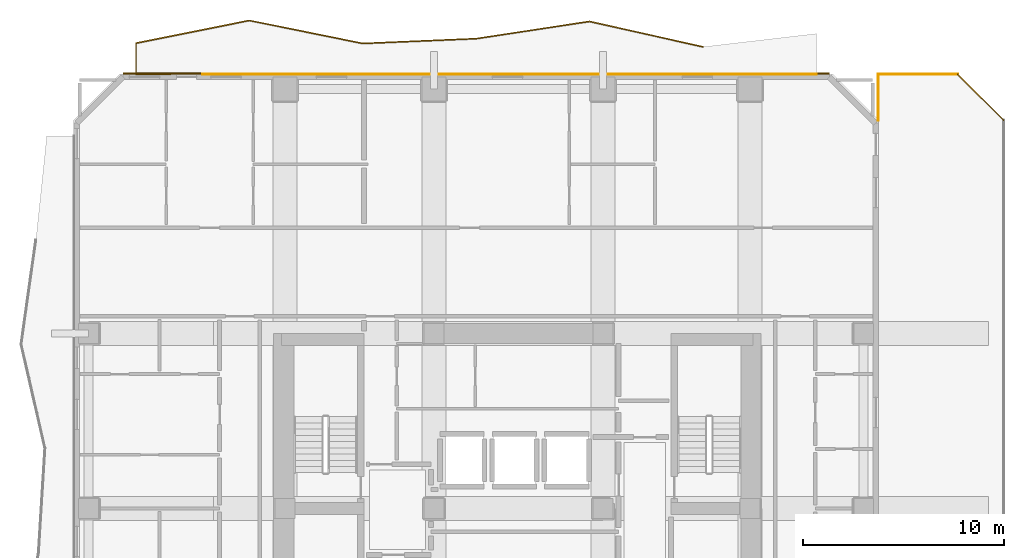
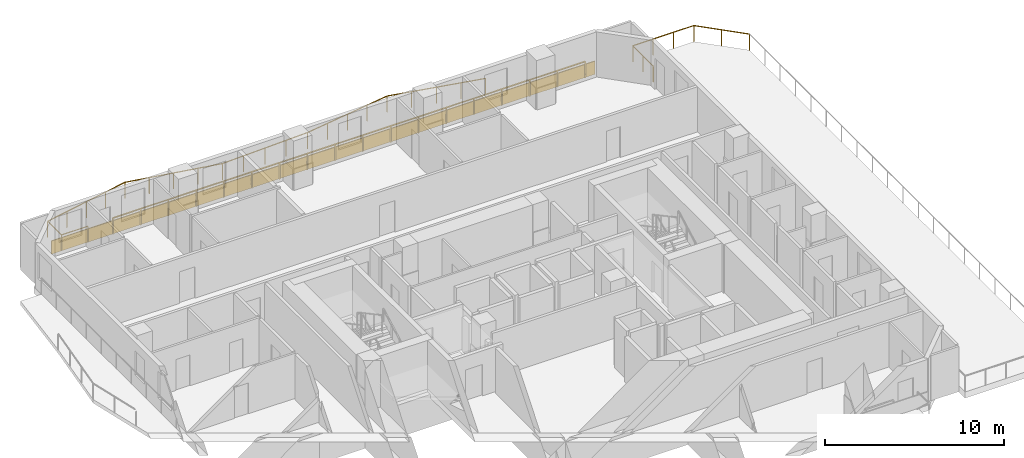
# One storey, part 11 of 11: 5 railings, 1 covering.
"""IFC4 building model written with IfcOpenShell, lengths in metres."""

from ifc_helpers import new_model, si_unit, direction, frame, frame_2d, origin, origin_2d, place, context, subcontext, project, spatial, rectangle, extrude, material, layer, layer_set, type_object, element, save


model = new_model("IFC4")

# Units and contexts
model_context = context("Model", 3, precision=1e-05, world=origin(), true_north=direction((0.0, 1.0)))
body_context = subcontext(model_context, "Body", "Model", "MODEL_VIEW")
ifc_project = project(units=[si_unit("LENGTHUNIT", "METRE"), si_unit("AREAUNIT", "SQUARE_METRE"), si_unit("VOLUMEUNIT", "CUBIC_METRE"), si_unit("PLANEANGLEUNIT", "RADIAN"), si_unit("MASSUNIT", "GRAM", prefix="KILO")], contexts=[model_context])

# Site, building, storey
site_placement = place(None, origin())
site = spatial("IfcSite", under=ifc_project, at=site_placement, CompositionType="ELEMENT")
building_placement = place(site_placement, origin())
building = spatial("IfcBuilding", under=site, at=building_placement, Name="Solanera Arch Residences", CompositionType="ELEMENT")
storey_placement = place(building_placement, frame((0.0, 0.0, 165.840087890625)))
storey = spatial("IfcBuildingStorey", under=building, at=storey_placement, Name="L48", CompositionType="ELEMENT", Elevation=165.840087890625)

# Railings
ifc_material_1 = material(Name="Steel S355 (ASTM A992 / A572 Grade 50)", Category="steel")
railing_type = type_object("IfcRailingType", Name="Balustrade Railing BL-1100", PredefinedType="BALUSTRADE", material=ifc_material_1)
railing_1_placement = place(storey_placement, frame((34.1669921875, 53.639892578125, 0.0)))
element("IfcRailing", 1, at=railing_1_placement, inside=storey, type_object=railing_type, Name="L48 N Balcony Balustrade 1", PredefinedType="BALUSTRADE", context=body_context, shape_type="SweptSolid", body=[
    extrude(rectangle(XDim=0.048095703125, YDim=0.048095703125, at=origin_2d()), frame((0.0, 0.0, 1.09619140625), z_axis=(-0.975775416654, 0.218774624335, 0.0), x_axis=(-0.218774624335, -0.975775416654, 0.0)), (0.0, 0.0, 1.0), 5.77392578125),
    extrude(rectangle(XDim=0.048095703125, YDim=0.048095703125, at=origin_2d()), frame((-5.634033203125, 1.26318359375, 1.09619140625), z_axis=(-0.988651371394, -0.150228046119, 0.0), x_axis=(0.150228046119, -0.988651371394, 0.0)), (0.0, 0.0, 1.0), 5.69775390625),
    extrude(rectangle(XDim=0.048095703125, YDim=0.048095703125, at=origin_2d()), frame((-11.26708984375, 0.4072265625, 1.09619140625), z_axis=(-0.999100960191, -0.042394237172, 0.0), x_axis=(0.042394237172, -0.999100960191, 0.0)), (0.0, 0.0, 1.0), 5.637939453125),
    extrude(rectangle(XDim=0.048095703125, YDim=0.048095703125, at=origin_2d()), frame((-16.89990234375, 0.168212890625, 1.09619140625), z_axis=(-0.980074345964, 0.198631005593, 0.0), x_axis=(-0.198631005593, -0.980074345964, 0.0)), (0.0, 0.0, 1.0), 5.74853515625),
    extrude(rectangle(XDim=0.048095703125, YDim=0.048095703125, at=origin_2d()), frame((-22.533935546875, 1.31005859375, 1.09619140625), z_axis=(-0.980569232103, -0.196173344402, 0.0), x_axis=(0.196173344402, -0.980569232103, 0.0)), (0.0, 0.0, 1.0), 5.74462890625),
    extrude(rectangle(XDim=0.048095703125, YDim=0.048095703125, at=origin_2d()), frame((-28.1669921875, 0.18310546875, 1.09619140625), z_axis=(0.0, -1.0, 0.0), x_axis=(1.0, 0.0, 0.0)), (0.0, 0.0, 1.0), 1.54296875),
    extrude(rectangle(XDim=0.048095703125, YDim=0.048095703125, at=origin_2d()), frame((-28.1669921875, -1.35986328125, 1.09619140625), z_axis=(1.0, 0.0, 0.0), x_axis=(0.0, 1.0, 0.0)), (0.0, 0.0, 1.0), 1.712890625),
    extrude(rectangle(XDim=0.0419921875, YDim=0.0419921875, at=origin_2d()), origin(), (0.0, 0.0, 1.0), 1.072021484375),
    extrude(rectangle(XDim=0.0419921875, YDim=0.0419921875, at=origin_2d()), frame((-1.408447265625, 0.31591796875, 0.0)), (0.0, 0.0, 1.0), 1.072021484375),
    extrude(rectangle(XDim=0.0419921875, YDim=0.0419921875, at=origin_2d()), frame((-2.81689453125, 0.631591796875, 0.0)), (0.0, 0.0, 1.0), 1.072021484375),
    extrude(rectangle(XDim=0.0419921875, YDim=0.0419921875, at=origin_2d()), frame((-4.2255859375, 0.947265625, 0.0)), (0.0, 0.0, 1.0), 1.072021484375),
    extrude(rectangle(XDim=0.0419921875, YDim=0.0419921875, at=origin_2d()), frame((-5.634033203125, 1.26318359375, 0.0)), (0.0, 0.0, 1.0), 1.072021484375),
    extrude(rectangle(XDim=0.0419921875, YDim=0.0419921875, at=origin_2d()), frame((-7.042236328125, 1.04931640625, 0.0)), (0.0, 0.0, 1.0), 1.072021484375),
    extrude(rectangle(XDim=0.0419921875, YDim=0.0419921875, at=origin_2d()), frame((-8.45068359375, 0.835205078125, 0.0)), (0.0, 0.0, 1.0), 1.072021484375),
    extrude(rectangle(XDim=0.0419921875, YDim=0.0419921875, at=origin_2d()), frame((-9.85888671875, 0.62109375, 0.0)), (0.0, 0.0, 1.0), 1.072021484375),
    extrude(rectangle(XDim=0.0419921875, YDim=0.0419921875, at=origin_2d()), frame((-11.26708984375, 0.4072265625, 0.0)), (0.0, 0.0, 1.0), 1.072021484375),
    extrude(rectangle(XDim=0.0419921875, YDim=0.0419921875, at=origin_2d()), frame((-12.67529296875, 0.347412109375, 0.0)), (0.0, 0.0, 1.0), 1.072021484375),
    extrude(rectangle(XDim=0.0419921875, YDim=0.0419921875, at=origin_2d()), frame((-14.08349609375, 0.28759765625, 0.0)), (0.0, 0.0, 1.0), 1.072021484375),
    extrude(rectangle(XDim=0.0419921875, YDim=0.0419921875, at=origin_2d()), frame((-15.49169921875, 0.22802734375, 0.0)), (0.0, 0.0, 1.0), 1.072021484375),
    extrude(rectangle(XDim=0.0419921875, YDim=0.0419921875, at=origin_2d()), frame((-16.89990234375, 0.168212890625, 0.0)), (0.0, 0.0, 1.0), 1.072021484375),
    extrude(rectangle(XDim=0.0419921875, YDim=0.0419921875, at=origin_2d()), frame((-18.308349609375, 0.45361328125, 0.0)), (0.0, 0.0, 1.0), 1.072021484375),
    extrude(rectangle(XDim=0.0419921875, YDim=0.0419921875, at=origin_2d()), frame((-19.716796875, 0.7392578125, 0.0)), (0.0, 0.0, 1.0), 1.072021484375),
    extrude(rectangle(XDim=0.0419921875, YDim=0.0419921875, at=origin_2d()), frame((-21.12548828125, 1.024658203125, 0.0)), (0.0, 0.0, 1.0), 1.072021484375),
    extrude(rectangle(XDim=0.0419921875, YDim=0.0419921875, at=origin_2d()), frame((-22.533935546875, 1.31005859375, 0.0)), (0.0, 0.0, 1.0), 1.072021484375),
    extrude(rectangle(XDim=0.0419921875, YDim=0.0419921875, at=origin_2d()), frame((-23.942138671875, 1.0283203125, 0.0)), (0.0, 0.0, 1.0), 1.072021484375),
    extrude(rectangle(XDim=0.0419921875, YDim=0.0419921875, at=origin_2d()), frame((-25.3505859375, 0.74658203125, 0.0)), (0.0, 0.0, 1.0), 1.072021484375),
    extrude(rectangle(XDim=0.0419921875, YDim=0.0419921875, at=origin_2d()), frame((-26.7587890625, 0.46484375, 0.0)), (0.0, 0.0, 1.0), 1.072021484375),
    extrude(rectangle(XDim=0.0419921875, YDim=0.0419921875, at=origin_2d()), frame((-28.1669921875, 0.18310546875, 0.0)), (0.0, 0.0, 1.0), 1.072021484375),
    extrude(rectangle(XDim=0.0419921875, YDim=0.0419921875, at=origin_2d()), frame((-28.1669921875, -1.35986328125, 0.0)), (0.0, 0.0, 1.0), 1.072021484375),
    extrude(rectangle(XDim=0.0419921875, YDim=0.0419921875, at=origin_2d()), frame((-26.4541015625, -1.35986328125, 0.0)), (0.0, 0.0, 1.0), 1.072021484375),
])
railing_2_placement = place(storey_placement, frame((9.31298828125, 52.280029296875, 0.0)))
element("IfcRailing", 2, at=railing_2_placement, inside=storey, type_object=railing_type, Name="L48 N Balcony Balustrade 2", PredefinedType="BALUSTRADE", context=body_context, shape_type="SweptSolid", body=[
    extrude(rectangle(XDim=0.048095703125, YDim=0.048095703125, at=origin_2d()), frame((0.0, 0.0, 1.09619140625), z_axis=(1.0, 0.0, 0.0), x_axis=(0.0, 1.0, 0.0)), (0.0, 0.0, 1.0), 30.487060546875),
    extrude(rectangle(XDim=0.0419921875, YDim=0.0419921875, at=origin_2d()), origin(), (0.0, 0.0, 1.0), 1.072021484375),
    extrude(rectangle(XDim=0.0419921875, YDim=0.0419921875, at=origin_2d()), frame((1.79345703125, 0.0, 0.0)), (0.0, 0.0, 1.0), 1.072021484375),
    extrude(rectangle(XDim=0.0419921875, YDim=0.0419921875, at=origin_2d()), frame((3.586669921875, 0.0, 0.0)), (0.0, 0.0, 1.0), 1.072021484375),
    extrude(rectangle(XDim=0.0419921875, YDim=0.0419921875, at=origin_2d()), frame((5.380126953125, 0.0, 0.0)), (0.0, 0.0, 1.0), 1.072021484375),
    extrude(rectangle(XDim=0.0419921875, YDim=0.0419921875, at=origin_2d()), frame((7.17333984375, 0.0, 0.0)), (0.0, 0.0, 1.0), 1.072021484375),
    extrude(rectangle(XDim=0.0419921875, YDim=0.0419921875, at=origin_2d()), frame((8.966796875, 0.0, 0.0)), (0.0, 0.0, 1.0), 1.072021484375),
    extrude(rectangle(XDim=0.0419921875, YDim=0.0419921875, at=origin_2d()), frame((10.76025390625, 0.0, 0.0)), (0.0, 0.0, 1.0), 1.072021484375),
    extrude(rectangle(XDim=0.0419921875, YDim=0.0419921875, at=origin_2d()), frame((12.553466796875, 0.0, 0.0)), (0.0, 0.0, 1.0), 1.072021484375),
    extrude(rectangle(XDim=0.0419921875, YDim=0.0419921875, at=origin_2d()), frame((14.346923828125, 0.0, 0.0)), (0.0, 0.0, 1.0), 1.072021484375),
    extrude(rectangle(XDim=0.0419921875, YDim=0.0419921875, at=origin_2d()), frame((16.14013671875, 0.0, 0.0)), (0.0, 0.0, 1.0), 1.072021484375),
    extrude(rectangle(XDim=0.0419921875, YDim=0.0419921875, at=origin_2d()), frame((17.93359375, 0.0, 0.0)), (0.0, 0.0, 1.0), 1.072021484375),
    extrude(rectangle(XDim=0.0419921875, YDim=0.0419921875, at=origin_2d()), frame((19.726806640625, 0.0, 0.0)), (0.0, 0.0, 1.0), 1.072021484375),
    extrude(rectangle(XDim=0.0419921875, YDim=0.0419921875, at=origin_2d()), frame((21.520263671875, 0.0, 0.0)), (0.0, 0.0, 1.0), 1.072021484375),
    extrude(rectangle(XDim=0.0419921875, YDim=0.0419921875, at=origin_2d()), frame((23.313720703125, 0.0, 0.0)), (0.0, 0.0, 1.0), 1.072021484375),
    extrude(rectangle(XDim=0.0419921875, YDim=0.0419921875, at=origin_2d()), frame((25.10693359375, 0.0, 0.0)), (0.0, 0.0, 1.0), 1.072021484375),
    extrude(rectangle(XDim=0.0419921875, YDim=0.0419921875, at=origin_2d()), frame((26.900390625, 0.0, 0.0)), (0.0, 0.0, 1.0), 1.072021484375),
    extrude(rectangle(XDim=0.0419921875, YDim=0.0419921875, at=origin_2d()), frame((28.693603515625, 0.0, 0.0)), (0.0, 0.0, 1.0), 1.072021484375),
    extrude(rectangle(XDim=0.0419921875, YDim=0.0419921875, at=origin_2d()), frame((30.487060546875, 0.0, 0.0)), (0.0, 0.0, 1.0), 1.072021484375),
])
railing_3_placement = place(storey_placement, frame((46.820068359375, 52.280029296875, 0.0)))
element("IfcRailing", 3, at=railing_3_placement, inside=storey, type_object=railing_type, Name="L48 Sky Terrace Guardrail 1", PredefinedType="BALUSTRADE", context=body_context, shape_type="SweptSolid", body=[
    extrude(rectangle(XDim=0.048095703125, YDim=0.048095703125, at=origin_2d()), frame((0.0, 0.0, 1.09619140625), z_axis=(-1.0, 0.0, 0.0), x_axis=(0.0, -1.0, 0.0)), (0.0, 0.0, 1.0), 3.940185546875),
    extrude(rectangle(XDim=0.0419921875, YDim=0.0419921875, at=origin_2d()), origin(), (0.0, 0.0, 1.0), 1.072021484375),
    extrude(rectangle(XDim=0.0419921875, YDim=0.0419921875, at=origin_2d()), frame((-1.3134765625, 0.0, 0.0)), (0.0, 0.0, 1.0), 1.072021484375),
    extrude(rectangle(XDim=0.0419921875, YDim=0.0419921875, at=origin_2d()), frame((-2.626708984375, 0.0, 0.0)), (0.0, 0.0, 1.0), 1.072021484375),
    extrude(rectangle(XDim=0.0419921875, YDim=0.0419921875, at=origin_2d()), frame((-3.940185546875, 0.0, 0.0)), (0.0, 0.0, 1.0), 1.072021484375),
])
railing_4_placement = place(storey_placement, frame((42.8798828125, 52.280029296875, 0.0)))
element("IfcRailing", 4, at=railing_4_placement, inside=storey, type_object=railing_type, Name="L48 Sky Terrace Guardrail 1", PredefinedType="BALUSTRADE", context=body_context, shape_type="SweptSolid", body=[
    extrude(rectangle(XDim=0.048095703125, YDim=0.048095703125, at=origin_2d()), frame((0.0, 0.0, 1.09619140625), z_axis=(0.0, -1.0, 0.0), x_axis=(1.0, 0.0, 0.0)), (0.0, 0.0, 1.0), 2.2880859375),
    extrude(rectangle(XDim=0.0419921875, YDim=0.0419921875, at=origin_2d()), origin(), (0.0, 0.0, 1.0), 1.072021484375),
    extrude(rectangle(XDim=0.0419921875, YDim=0.0419921875, at=origin_2d()), frame((0.0, -1.14404296875, 0.0)), (0.0, 0.0, 1.0), 1.072021484375),
    extrude(rectangle(XDim=0.0419921875, YDim=0.0419921875, at=origin_2d()), frame((0.0, -2.2880859375, 0.0)), (0.0, 0.0, 1.0), 1.072021484375),
])
railing_5_placement = place(storey_placement, frame((49.10009765625, 50.0, 0.0)))
element("IfcRailing", 5, at=railing_5_placement, inside=storey, type_object=railing_type, Name="L48 Sky Terrace Guardrail 1", PredefinedType="BALUSTRADE", context=body_context, shape_type="SweptSolid", body=[
    extrude(rectangle(XDim=0.048095703125, YDim=0.048095703125, at=origin_2d()), frame((0.0, 0.0, 1.09619140625), z_axis=(-0.707106781187, 0.707106781187, 0.0), x_axis=(-0.707106781187, -0.707106781187, 0.0)), (0.0, 0.0, 1.0), 3.224365234375),
    extrude(rectangle(XDim=0.0419921875, YDim=0.0419921875, at=origin_2d()), origin(), (0.0, 0.0, 1.0), 1.072021484375),
    extrude(rectangle(XDim=0.0419921875, YDim=0.0419921875, at=origin_2d()), frame((-1.14013671875, 1.14013671875, 0.0)), (0.0, 0.0, 1.0), 1.072021484375),
    extrude(rectangle(XDim=0.0419921875, YDim=0.0419921875, at=origin_2d()), frame((-2.280029296875, 2.280029296875, 0.0)), (0.0, 0.0, 1.0), 1.072021484375),
])

# Covering
ifc_material_2 = material(Name="Philippine Adobe Travertine Cladding", Category="masonry")
ifc_layer = layer(ifc_material_2, 0.06005859375)
ifc_layer_set = layer_set([ifc_layer], Name="Philippine Adobe Travertine Cladding")
covering_type = type_object("IfcCoveringType", Name="Precast Pier Stone Cladding CLD-60", PredefinedType="CLADDING", material=ifc_layer_set)
covering_placement = place(storey_placement, frame((5.35498046875, 52.31494140625, 0.0), z_axis=(0.0, 0.0, 1.0), x_axis=(1.0, 0.0, 0.0)))
element("IfcCovering", 6, at=covering_placement, inside=storey, type_object=covering_type, Name="L48 N Precast Spandrel Stone Band", PredefinedType="CLADDING", context=body_context, shape_type="SweptSolid", body=[
    extrude(rectangle(XDim=35.090087890625, YDim=0.06005859375, at=frame_2d((17.544921875, 0.0))), origin(), (0.0, 0.0, 1.0), 0.89990234375),
])

save(model, "model.ifc")
